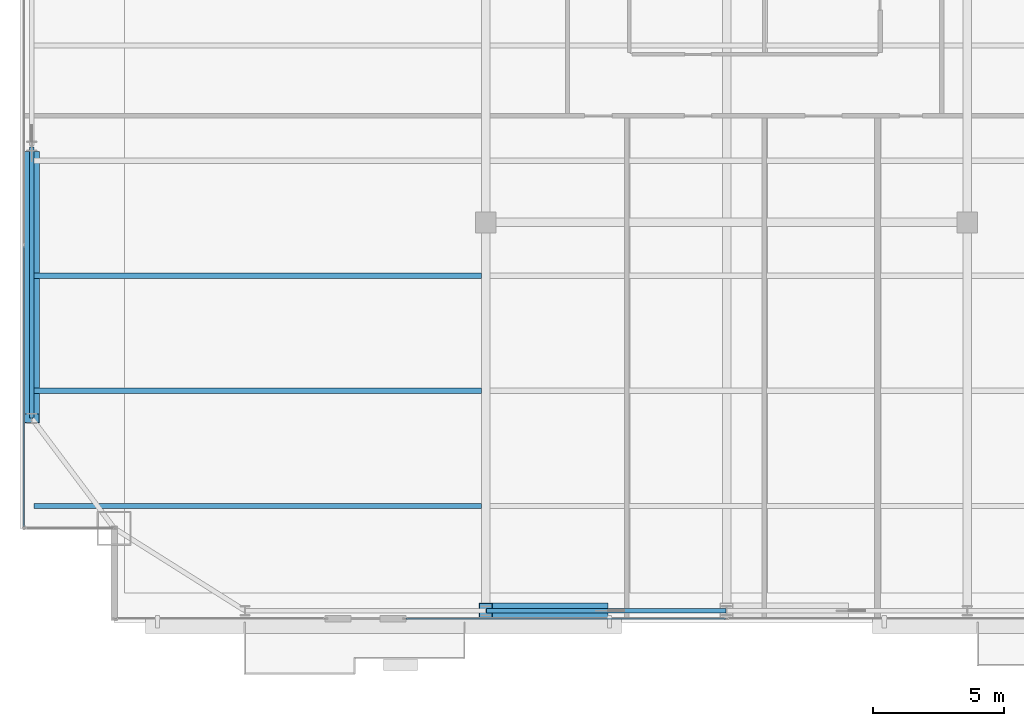
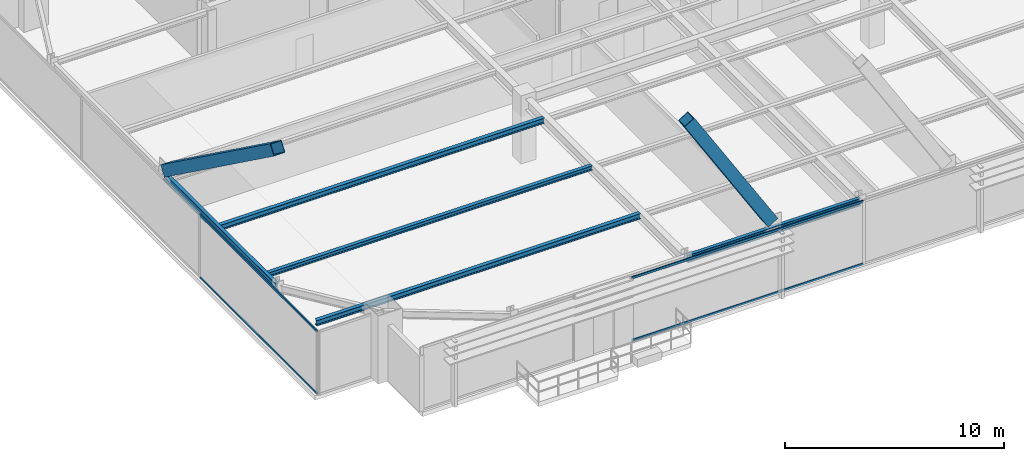
# One storey, part 7 of 32: 6 members, 5 beams, 2 elements without a shape of their own.
"""IFC4 building model written with IfcOpenShell, lengths in metres."""

from ifc_helpers import new_model, si_unit, direction, frame, origin, origin_2d, place, context, subcontext, project, spatial, hollow_rectangle, i_section, extrude, source, transform, mapped, material, layer, layer_set, material_profile, profile_set, type_object, type_shapes, element, aggregate, save


model = new_model("IFC4")

# Units and contexts
model_context = context("Model", 3, precision=1e-05, world=origin(), true_north=direction((0.0, 1.0)))
body_context = subcontext(model_context, "Body", "Model", "MODEL_VIEW")
ifc_project = project(units=[si_unit("LENGTHUNIT", "METRE"), si_unit("AREAUNIT", "SQUARE_METRE"), si_unit("VOLUMEUNIT", "CUBIC_METRE"), si_unit("PLANEANGLEUNIT", "RADIAN"), si_unit("MASSUNIT", "GRAM", prefix="KILO")], contexts=[model_context])

# Site, building, storey
site_placement = place(None, origin())
site = spatial("IfcSite", under=ifc_project, at=site_placement, CompositionType="ELEMENT")
building_placement = place(site_placement, origin())
building = spatial("IfcBuilding", under=site, at=building_placement, Name="Varnel Quay Broadcast Tower", CompositionType="ELEMENT")
storey_placement = place(building_placement, frame((0.0, 0.0, 164.800048828125)))
storey = spatial("IfcBuildingStorey", under=building, at=storey_placement, Name="L40", CompositionType="ELEMENT", Elevation=164.800048828125)

# Beams
ifc_material_1 = material(Name="Structural Steel CSA G40.21 350W", Category="steel")
ifc_material_profile_1 = material_profile(ifc_material_1, i_section(OverallWidth=0.180908203125, OverallDepth=0.4169921875, WebThickness=0.010986328125, FlangeThickness=0.018310546875, FilletRadius=0.011962890625, at=origin_2d()), Name="W410X85")
ifc_profile_set_1 = profile_set([ifc_material_profile_1], Name="Structural Steel CSA G40.21 350W")
beam_type_1 = type_object("IfcBeamType", Name="Beam_W410X85", PredefinedType="SPANDREL", material=ifc_profile_set_1)
shared_shape_1 = source(origin(), body_context, "Body", "SweptSolid", [
    extrude(i_section(OverallWidth=0.180908203125, OverallDepth=0.4169921875, WebThickness=0.010986328125, FlangeThickness=0.018310546875, FilletRadius=0.011962890625, at=origin_2d()), origin(), (0.0, 0.0, 1.0), 9.159912109375),
])
beam_1_placement = place(storey_placement, frame((24.820068359375, 7.64990234375, 3.341552734375), z_axis=(1.0, 0.0, 0.0), x_axis=(0.0, 1.0, 0.0)))
element("IfcBeam", 1, at=beam_1_placement, inside=storey, type_object=beam_type_1, Name="L40 South Spandrel TC-S2-TC-S3", PredefinedType="SPANDREL", context=body_context, shape_type="MappedRepresentation", body=[
    mapped(shared_shape_1, transform((0.0, 0.0, 0.0), x_axis=(1.0, 0.0, 0.0), y_axis=(0.0, 1.0, 0.0), z_axis=(0.0, 0.0, 1.0), scale=1.0)),
])
shared_shape_2 = source(origin(), body_context, "Body", "SweptSolid", [
    extrude(i_section(OverallWidth=0.180908203125, OverallDepth=0.4169921875, WebThickness=0.010986328125, FlangeThickness=0.018310546875, FilletRadius=0.011962890625, at=origin_2d()), origin(), (0.0, 0.0, 1.0), 10.35986328125),
])
type_shapes(beam_type_1, [shared_shape_1, shared_shape_2])
beam_2_placement = place(storey_placement, frame((7.449951171875, 15.02001953125, 3.341552734375), z_axis=(0.0, 1.0, 0.0), x_axis=(-1.0, 0.0, 0.0)))
element("IfcBeam", 2, at=beam_2_placement, inside=storey, type_object=beam_type_1, Name="L40 West Spandrel TC-W1-TC-W2", PredefinedType="SPANDREL", context=body_context, shape_type="MappedRepresentation", body=[
    mapped(shared_shape_2, transform((0.0, 0.0, 0.0), x_axis=(1.0, 0.0, 0.0), y_axis=(0.0, 1.0, 0.0), z_axis=(0.0, 0.0, 1.0), scale=1.0)),
])
ifc_material_profile_2 = material_profile(ifc_material_1, i_section(OverallWidth=0.202880859375, OverallDepth=0.302978515625, WebThickness=0.007568359375, FlangeThickness=0.01318359375, FilletRadius=0.011962890625, at=origin_2d()), Name="W310X60")
ifc_profile_set_2 = profile_set([ifc_material_profile_2], Name="Structural Steel CSA G40.21 350W")
beam_type_2 = type_object("IfcBeamType", Name="Beam_W310X60", PredefinedType="JOIST", material=ifc_profile_set_2)
shared_shape_3 = source(origin(), body_context, "Body", "SweptSolid", [
    extrude(i_section(OverallWidth=0.202880859375, OverallDepth=0.302978515625, WebThickness=0.007568359375, FlangeThickness=0.01318359375, FilletRadius=0.011962890625, at=origin_2d()), origin(), (0.0, 0.0, 1.0), 17.107177734375),
])
type_shapes(beam_type_2, [shared_shape_3])
for number, where, z_axis, x_axis, name in (
    (3, (7.535400390625, 11.64990234375, 3.3984375), (1.0, 0.0, 0.0), (0.0, 1.0, 0.0), "L40 West Floor Joist 1"),
    (4, (7.535400390625, 20.449951171875, 3.3984375), (1.0, 0.0, 0.0), (0.0, 1.0, 0.0), "L40 West Floor Joist 3"),
):
    element("IfcBeam", number, at=place(storey_placement, frame(where, z_axis=z_axis, x_axis=x_axis)), inside=storey, type_object=beam_type_2, Name=name, PredefinedType="JOIST", context=body_context, shape_type="MappedRepresentation", body=[
        mapped(shared_shape_3, transform((0.0, 0.0, 0.0), x_axis=(1.0, 0.0, 0.0), y_axis=(0.0, 1.0, 0.0), z_axis=(0.0, 0.0, 1.0), scale=1.0)),
    ])
ifc_material_profile_3 = material_profile(ifc_material_1, i_section(OverallWidth=0.201904296875, OverallDepth=0.2470703125, WebThickness=0.00732421875, FlangeThickness=0.010986328125, FilletRadius=0.010986328125, at=origin_2d()), Name="W250X49")
ifc_profile_set_3 = profile_set([ifc_material_profile_3], Name="Structural Steel CSA G40.21 350W")
beam_type_3 = type_object("IfcBeamType", Name="Beam_W250X49", PredefinedType="JOIST", material=ifc_profile_set_3)
shared_shape_4 = source(origin(), body_context, "Body", "SweptSolid", [
    extrude(i_section(OverallWidth=0.201904296875, OverallDepth=0.2470703125, WebThickness=0.00732421875, FlangeThickness=0.010986328125, FilletRadius=0.010986328125, at=origin_2d()), origin(), (0.0, 0.0, 1.0), 17.107177734375),
])
type_shapes(beam_type_3, [shared_shape_4])
beam_3_placement = place(storey_placement, frame((7.535400390625, 16.050048828125, 3.426513671875), z_axis=(1.0, 0.0, 0.0), x_axis=(0.0, 1.0, 0.0)))
element("IfcBeam", 5, at=beam_3_placement, inside=storey, type_object=beam_type_3, Name="L40 West Floor Joist 2", PredefinedType="JOIST", context=body_context, shape_type="MappedRepresentation", body=[
    mapped(shared_shape_4, transform((0.0, 0.0, 0.0), x_axis=(1.0, 0.0, 0.0), y_axis=(0.0, 1.0, 0.0), z_axis=(0.0, 0.0, 1.0), scale=1.0)),
])

# Members
ifc_material_2 = material(Name="Structural Steel CSA G40.21 350WT", Category="steel")
ifc_material_profile_4 = material_profile(ifc_material_2, hollow_rectangle(XDim=0.60009765625, YDim=0.60009765625, WallThickness=0.028076171875, at=origin_2d()), Name="BOX600X600X28")
ifc_profile_set_4 = profile_set([ifc_material_profile_4], Name="Structural Steel CSA G40.21 350WT")
member_type_1 = type_object("IfcMemberType", Name="Brace_BOX600X600X28", PredefinedType="BRACE", material=ifc_profile_set_4)
shared_shape_5 = source(origin(), body_context, "Body", "SweptSolid", [
    extrude(hollow_rectangle(XDim=0.60009765625, YDim=0.60009765625, WallThickness=0.028076171875, at=origin_2d()), origin(), (0.0, 0.0, 1.0), 8.399169921875),
])
member_1_placement = place(storey_placement, frame((29.210693359375, 7.64990234375, 3.98193359375), z_axis=(-0.525125243666, 0.0, 0.851024957604), x_axis=(0.0, -1.0, 0.0)))
element("IfcMember", 6, at=member_1_placement, inside=storey, type_object=member_type_1, Name="Zone 3 Mega-Brace S-C1T2 Split Diag B2", PredefinedType="BRACE", context=body_context, shape_type="MappedRepresentation", body=[
    mapped(shared_shape_5, transform((0.0, 0.0, 0.0), x_axis=(1.0, 0.0, 0.0), y_axis=(0.0, 1.0, 0.0), z_axis=(0.0, 0.0, 1.0), scale=1.0)),
])
shared_shape_6 = source(origin(), body_context, "Body", "SweptSolid", [
    extrude(hollow_rectangle(XDim=0.60009765625, YDim=0.60009765625, WallThickness=0.028076171875, at=origin_2d()), origin(), (0.0, 0.0, 1.0), 12.3740234375),
])
type_shapes(member_type_1, [shared_shape_5, shared_shape_6])
member_2_placement = place(storey_placement, frame((7.449951171875, 25.02392578125, 3.874755859375), z_axis=(0.0, -0.810079456088, 0.586320112928), x_axis=(1.0, 0.0, 0.0)))
element("IfcMember", 7, at=member_2_placement, inside=storey, type_object=member_type_1, Name="Zone 3 Mega-Brace W-FT2 Split Diag B2", PredefinedType="BRACE", context=body_context, shape_type="MappedRepresentation", body=[
    mapped(shared_shape_6, transform((0.0, 0.0, 0.0), x_axis=(1.0, 0.0, 0.0), y_axis=(0.0, 1.0, 0.0), z_axis=(0.0, 0.0, 1.0), scale=1.0)),
])

# Curtain wall, members
ifc_material_3 = material(Name="Anodised Bronze Aluminium 6063-T6", Category="aluminium")
ifc_layer = layer(ifc_material_3, 0.18994140625, Name="Anodised Bronze Aluminium 6063-T6")
ifc_layer_set = layer_set([ifc_layer], Name="Anodised Bronze Aluminium 6063-T6")
curtain_wall_type = type_object("IfcCurtainWallType", Name="CW_UpperTower", PredefinedType="NOTDEFINED", material=ifc_layer_set)
curtain_wall_1_placement = place(storey_placement, origin())
curtain_wall_1 = element("IfcCurtainWall", 8, at=curtain_wall_1_placement, inside=storey, type_object=curtain_wall_type, Name="L40 West Unitised Curtain Wall", PredefinedType="NOTDEFINED")
ifc_material_profile_5 = material_profile(ifc_material_3, hollow_rectangle(XDim=0.06005859375, YDim=0.125, WallThickness=0.0029296875, at=origin_2d()), Name="ALU60X125X3")
ifc_profile_set_5 = profile_set([ifc_material_profile_5], Name="Anodised Bronze Aluminium 6063-T6")
member_type_2 = type_object("IfcMemberType", Name="Tran_CWS-03", PredefinedType="USERDEFINED", material=ifc_profile_set_5)
shared_shape_7 = source(origin(), body_context, "Body", "SweptSolid", [
    extrude(hollow_rectangle(XDim=0.06005859375, YDim=0.125, WallThickness=0.0029296875, at=origin_2d()), origin(), (0.0, 0.0, 1.0), 10.702392578125),
])
member_3_placement = place(storey_placement, frame((7.14990234375, 10.864990234375, 0.030029296875), z_axis=(0.0, 1.0, 0.0), x_axis=(-1.0, 0.0, 0.0)))
member_3 = element("IfcMember", 9, at=member_3_placement, type_object=member_type_2, Name="CWS-03 transom 1.1", ObjectType="TRANSOM", PredefinedType="USERDEFINED", context=body_context, shape_type="MappedRepresentation", body=[
    mapped(shared_shape_7, transform((0.0, 0.0, 0.0), x_axis=(1.0, 0.0, 0.0), y_axis=(0.0, 1.0, 0.0), z_axis=(0.0, 0.0, 1.0), scale=1.0)),
])
member_4_placement = place(storey_placement, frame((7.14990234375, 10.864990234375, 3.52001953125), z_axis=(0.0, 1.0, 0.0), x_axis=(-1.0, 0.0, 0.0)))
member_4 = element("IfcMember", 10, at=member_4_placement, type_object=member_type_2, Name="CWS-03 transom 1.2", ObjectType="TRANSOM", PredefinedType="USERDEFINED", context=body_context, shape_type="MappedRepresentation", body=[
    mapped(shared_shape_7, transform((0.0, 0.0, 0.0), x_axis=(1.0, 0.0, 0.0), y_axis=(0.0, 1.0, 0.0), z_axis=(0.0, 0.0, 1.0), scale=1.0)),
])
aggregate(curtain_wall_1, [member_3, member_4])

curtain_wall_2_placement = place(storey_placement, origin())
curtain_wall_2 = element("IfcCurtainWall", 11, at=curtain_wall_2_placement, inside=storey, type_object=curtain_wall_type, Name="L40 South Unitised Curtain Wall 2", PredefinedType="NOTDEFINED")
shared_shape_8 = source(origin(), body_context, "Body", "SweptSolid", [
    extrude(hollow_rectangle(XDim=0.06005859375, YDim=0.125, WallThickness=0.0029296875, at=origin_2d()), origin(), (0.0, 0.0, 1.0), 12.222412109375),
])
type_shapes(member_type_2, [shared_shape_7, shared_shape_8])
member_5_placement = place(storey_placement, frame((21.7451171875, 7.35009765625, 0.030029296875), z_axis=(1.0, 0.0, 0.0), x_axis=(0.0, 1.0, 0.0)))
member_5 = element("IfcMember", 12, at=member_5_placement, type_object=member_type_2, Name="CWS-03 transom 1.1", ObjectType="TRANSOM", PredefinedType="USERDEFINED", context=body_context, shape_type="MappedRepresentation", body=[
    mapped(shared_shape_8, transform((0.0, 0.0, 0.0), x_axis=(1.0, 0.0, 0.0), y_axis=(0.0, 1.0, 0.0), z_axis=(0.0, 0.0, 1.0), scale=1.0)),
])
member_6_placement = place(storey_placement, frame((21.7451171875, 7.35009765625, 3.52001953125), z_axis=(1.0, 0.0, 0.0), x_axis=(0.0, 1.0, 0.0)))
member_6 = element("IfcMember", 13, at=member_6_placement, type_object=member_type_2, Name="CWS-03 transom 1.2", ObjectType="TRANSOM", PredefinedType="USERDEFINED", context=body_context, shape_type="MappedRepresentation", body=[
    mapped(shared_shape_8, transform((0.0, 0.0, 0.0), x_axis=(1.0, 0.0, 0.0), y_axis=(0.0, 1.0, 0.0), z_axis=(0.0, 0.0, 1.0), scale=1.0)),
])
aggregate(curtain_wall_2, [member_5, member_6])

save(model, "model.ifc")
